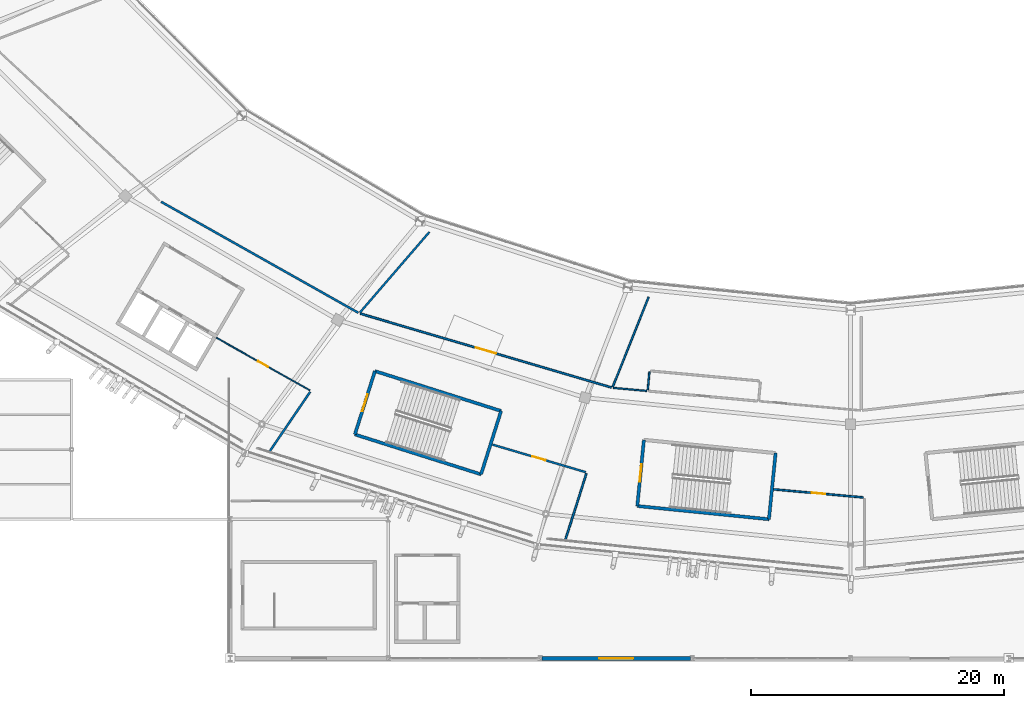
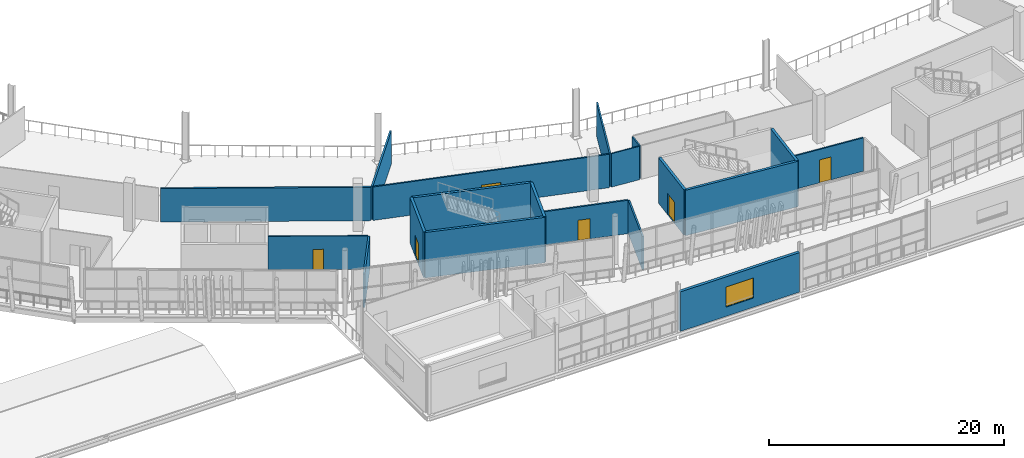
# One storey, part 125 of 179: 19 walls, 6 doors, 1 window, 7 openings.
"""IFC4 building model written with IfcOpenShell, lengths in metres."""

from ifc_helpers import new_model, si_unit, direction, frame, frame_2d, origin, place, context, subcontext, project, spatial, rectangle, extrude, material, layer, layer_set, type_object, element, fill, save


model = new_model("IFC4")

# Units and contexts
model_context = context("Model", 3, precision=1e-05, world=origin(), true_north=direction((0.0, 1.0)))
body_context = subcontext(model_context, "Body", "Model", "MODEL_VIEW")
ifc_project = project(units=[si_unit("LENGTHUNIT", "METRE"), si_unit("AREAUNIT", "SQUARE_METRE"), si_unit("VOLUMEUNIT", "CUBIC_METRE"), si_unit("PLANEANGLEUNIT", "RADIAN"), si_unit("MASSUNIT", "GRAM", prefix="KILO")], contexts=[model_context])

# Site, building, storey
site_placement = place(None, origin())
site = spatial("IfcSite", under=ifc_project, at=site_placement, CompositionType="ELEMENT")
building_placement = place(site_placement, origin())
building = spatial("IfcBuilding", under=site, at=building_placement, Name="Zlatoyarsky Gate Stadium", CompositionType="ELEMENT")
storey_placement = place(building_placement, frame((0.0, 0.0, 10.60009765625)))
storey = spatial("IfcBuildingStorey", under=building, at=storey_placement, Name="L02", CompositionType="ELEMENT", Elevation=10.60009765625)

# Walls
ifc_material_1 = material(Name="Double-stud acoustic gypsum partition", Category="gypsum")
ifc_layer_1 = layer(ifc_material_1, 0.169921875)
ifc_layer_set_1 = layer_set([ifc_layer_1], Name="Double-stud acoustic gypsum partition")
wall_type_1 = type_object("IfcWallType", Name="ACOUSTIC BROADCAST STUDIO WALL 170", PredefinedType="PARTITIONING", material=ifc_layer_set_1)
wall_1_placement = place(storey_placement, frame((56.548583984375, 36.072021484375, 0.0), z_axis=(0.0, 0.0, 1.0), x_axis=(0.871362784673, -0.490639274301, 0.0)))
element("IfcWall", 1, at=wall_1_placement, inside=storey, type_object=wall_type_1, Name="L02 interior partition PRT-L02-ICC-15M", PredefinedType="PARTITIONING", context=body_context, shape_type="SweptSolid", body=[
    extrude(rectangle(XDim=17.873779296875, YDim=0.169921875, at=frame_2d((8.93701171875, 0.0))), origin(), (0.0, 0.0, 1.0), 3.469970703125),
])
wall_2_placement = place(storey_placement, frame((68.32568359375, 21.062744140625, 0.0), z_axis=(0.0, 0.0, 1.0), x_axis=(-0.562685289886, -0.826671194941, 0.0)))
element("IfcWall", 2, at=wall_2_placement, inside=storey, type_object=wall_type_1, Name="L02 interior partition PRT-L02-ORD-15R", PredefinedType="PARTITIONING", context=body_context, shape_type="SweptSolid", body=[
    extrude(rectangle(XDim=5.675537109375, YDim=0.169921875, at=frame_2d((2.837890625, 0.0))), origin(), (0.0, 0.0, 1.0), 3.469970703125),
])
ifc_material_2 = material(Name="Anodised aluminium acoustic operable wall", Category="aluminium")
ifc_layer_2 = layer(ifc_material_2, 0.114990234375)
ifc_layer_set_2 = layer_set([ifc_layer_2], Name="Anodised aluminium acoustic operable wall")
wall_type_2 = type_object("IfcWallType", Name="ACOUSTIC OPERABLE SUITE WALL 115", PredefinedType="MOVABLE", material=ifc_layer_set_2)
wall_3_placement = place(storey_placement, frame((92.271728515625, 21.3701171875, 0.0), z_axis=(0.0, 0.0, 1.0), x_axis=(0.995861950951, -0.090878901005, 0.0)))
element("IfcWall", 3, at=wall_3_placement, inside=storey, type_object=wall_type_2, Name="L02 interior partition PRT-L02-WCL-17", PredefinedType="MOVABLE", context=body_context, shape_type="SweptSolid", body=[
    extrude(rectangle(XDim=2.630126953125, YDim=0.114990234375, at=frame_2d((1.31494140625, 0.0))), origin(), (0.0, 0.0, 1.0), 3.469970703125),
])
ifc_material_3 = material(Name="Moisture-resistant masonry partition", Category="masonry")
ifc_layer_3 = layer(ifc_material_3, 0.139892578125)
ifc_layer_set_3 = layer_set([ifc_layer_3], Name="Moisture-resistant masonry partition")
wall_type_3 = type_object("IfcWallType", Name="ATHLETE CHANGING BLOCK PARTITION 140", PredefinedType="PARTITIONING", material=ifc_layer_set_3)
wall_4_placement = place(storey_placement, frame((95.053955078125, 28.539794921875, 0.0), z_axis=(0.0, 0.0, 1.0), x_axis=(-0.37161687276, -0.928386180358, 0.0)))
element("IfcWall", 4, at=wall_4_placement, inside=storey, type_object=wall_type_3, Name="L02 interior partition PRT-L02-IRD-17", PredefinedType="PARTITIONING", context=body_context, shape_type="SweptSolid", body=[
    extrude(rectangle(XDim=7.62939453125, YDim=0.139892578125, at=frame_2d((3.814697265625, 0.0))), origin(), (0.0, 0.0, 1.0), 3.469970703125),
])

# Wall, opening, door
wall_5_placement = place(storey_placement, frame((104.92138671875, 13.358154296875, 0.0), z_axis=(0.0, 0.0, 1.0), x_axis=(0.995940866338, -0.090009948105, 0.0)))
wall_5 = element("IfcWall", 5, at=wall_5_placement, inside=storey, type_object=wall_type_3, Name="L02 interior partition PRT-L02-OCC-17-1", PredefinedType="PARTITIONING", context=body_context, shape_type="SweptSolid", body=[
    extrude(rectangle(XDim=7.1171875, YDim=0.139892578125, at=frame_2d((3.55859375, 0.0))), origin(), (0.0, 0.0, 1.0), 3.469970703125),
])
opening_1_placement = place(wall_5_placement, frame((3.0185546875, 0.0, 0.0)))
opening_1 = element("IfcOpeningElement", 6, at=opening_1_placement, cuts=wall_5, Name="Opening D-L02-373", PredefinedType="OPENING", context=body_context, shape_type="SweptSolid", body=[
    extrude(rectangle(XDim=1.080078125, YDim=2.3798828125, at=frame_2d((0.5400390625, 1.18994140625))), frame((0.0, 0.079833984375, 0.0), z_axis=(0.0, -1.0, 0.0), x_axis=(1.0, 0.0, 0.0)), (0.0, 0.0, 1.0), 0.159912109375),
])
ifc_material_4 = material(Name="Powder-coated steel fire door", Category="steel")
door_type_1 = type_object("IfcDoorType", Name="ACOUSTIC INTERIOR DOOR 1080X2380", OperationType="NOTDEFINED", PredefinedType="DOOR", material=ifc_material_4)
door_1_placement = place(opening_1_placement, origin())
door_1 = element("IfcDoor", 7, at=door_1_placement, inside=storey, type_object=door_type_1, Name="L02 room door D-L02-373", OperationType="SINGLE_SWING_RIGHT", OverallHeight=2.3798828125, OverallWidth=1.080078125, PredefinedType="DOOR", context=body_context, shape_type="SweptSolid", body=[
    extrude(rectangle(XDim=1.080078125, YDim=2.3798828125, at=frame_2d((0.5400390625, 1.18994140625))), frame((0.0, 0.02490234375, 0.0), z_axis=(0.0, -1.0, 0.0), x_axis=(1.0, 0.0, 0.0)), (0.0, 0.0, 1.0), 0.050048828125),
])
fill(opening_1, door_1)

ifc_material_5 = material(Name="Metal-stud gypsum partition", Category="gypsum")
ifc_layer_4 = layer(ifc_material_5, 0.14990234375)
ifc_layer_set_4 = layer_set([ifc_layer_4], Name="Metal-stud gypsum partition")
wall_type_4 = type_object("IfcWallType", Name="CONCOURSE CORRIDOR PARTITION 150", PredefinedType="PARTITIONING", material=ifc_layer_set_4)
wall_6_placement = place(storey_placement, frame((72.27880859375, 27.23681640625, 0.0), z_axis=(0.0, 0.0, 1.0), x_axis=(0.959319404283, -0.282323007504, 0.0)))
wall_6 = element("IfcWall", 8, at=wall_6_placement, inside=storey, type_object=wall_type_4, Name="L02 interior partition PRT-L02-ICC-16", PredefinedType="PARTITIONING", context=body_context, shape_type="SweptSolid", body=[
    extrude(rectangle(XDim=20.667724609375, YDim=0.14990234375, at=frame_2d((10.333984375, 0.0))), origin(), (0.0, 0.0, 1.0), 3.469970703125),
])
opening_2_placement = place(wall_6_placement, frame((9.493896484375, 0.0, 0.0)))
opening_2 = element("IfcOpeningElement", 9, at=opening_2_placement, cuts=wall_6, Name="Opening D-L02-322", PredefinedType="OPENING", context=body_context, shape_type="SweptSolid", body=[
    extrude(rectangle(XDim=1.679931640625, YDim=2.10009765625, at=frame_2d((0.83984375, 1.050048828125))), frame((0.0, 0.0849609375, 0.0), z_axis=(0.0, -1.0, 0.0), x_axis=(1.0, 0.0, 0.0)), (0.0, 0.0, 1.0), 0.169921875),
])
door_type_2 = type_object("IfcDoorType", Name="ACOUSTIC INTERIOR DOOR 1680X2100", OperationType="NOTDEFINED", PredefinedType="DOOR", material=ifc_material_4)
door_2_placement = place(opening_2_placement, origin())
door_2 = element("IfcDoor", 10, at=door_2_placement, inside=storey, type_object=door_type_2, Name="L02 room door D-L02-322", OperationType="SINGLE_SWING_RIGHT", OverallHeight=2.10009765625, OverallWidth=1.679931640625, PredefinedType="DOOR", context=body_context, shape_type="SweptSolid", body=[
    extrude(rectangle(XDim=1.679931640625, YDim=2.10009765625, at=frame_2d((0.83984375, 1.050048828125))), frame((0.0, 0.02490234375, 0.0), z_axis=(0.0, -1.0, 0.0), x_axis=(1.0, 0.0, 0.0)), (0.0, 0.0, 1.0), 0.050048828125),
])
fill(opening_2, door_2)

# Wall
wall_7_placement = place(storey_placement, frame((90.134521484375, 14.61083984375, 0.0), z_axis=(0.0, 0.0, 1.0), x_axis=(-0.301259297359, -0.953542256932, 0.0)))
element("IfcWall", 11, at=wall_7_placement, inside=storey, type_object=wall_type_4, Name="L02 interior partition PRT-L02-ORD-16R", PredefinedType="PARTITIONING", context=body_context, shape_type="SweptSolid", body=[
    extrude(rectangle(XDim=5.47998046875, YDim=0.14990234375, at=frame_2d((2.739990234375, 0.0))), origin(), (0.0, 0.0, 1.0), 3.469970703125),
])

# Wall, opening, door
ifc_material_6 = material(Name="Concrete C40/50", Category="concrete")
ifc_layer_5 = layer(ifc_material_6, 0.25)
ifc_layer_set_5 = layer_set([ifc_layer_5], Name="Concrete C40/50")
wall_type_5 = type_object("IfcWallType", Name="CONCRETE STAIR CORE SHEAR WALL 250", PredefinedType="SHEAR", material=ifc_layer_set_5)
wall_8_placement = place(storey_placement, frame((73.436767578125, 22.69873046875, 0.0), z_axis=(0.0, 0.0, 1.0), x_axis=(-0.30152749866, -0.953457480726, 0.0)))
wall_8 = element("IfcWall", 12, at=wall_8_placement, inside=storey, type_object=wall_type_5, Name="ST-09 L02 stair core entrance shear wall", PredefinedType="SHEAR", context=body_context, shape_type="SweptSolid", body=[
    extrude(rectangle(XDim=5.25, YDim=0.25, at=frame_2d((2.625, 0.0))), origin(), (0.0, 0.0, 1.0), 4.719970703125),
])
opening_3_placement = place(wall_8_placement, frame((1.925048828125, 0.0, 0.0)))
opening_3 = element("IfcOpeningElement", 13, at=opening_3_placement, cuts=wall_8, Name="Opening SD-ST-09-L02", PredefinedType="OPENING", context=body_context, shape_type="SweptSolid", body=[
    extrude(rectangle(XDim=1.39990234375, YDim=2.199951171875, at=frame_2d((0.699951171875, 1.10009765625))), frame((0.0, 0.135009765625, 0.0), z_axis=(0.0, -1.0, 0.0), x_axis=(1.0, 0.0, 0.0)), (0.0, 0.0, 1.0), 0.27001953125),
])
door_type_3 = type_object("IfcDoorType", Name="STAIR CORE FIRE EXIT DOOR 1400X2200", OperationType="NOTDEFINED", PredefinedType="DOOR", material=ifc_material_4)
door_3_placement = place(opening_3_placement, frame((1.39990234375, 0.0, 0.0), z_axis=(0.0, 0.0, 1.0), x_axis=(-1.0, 0.0, 0.0)))
door_3 = element("IfcDoor", 14, at=door_3_placement, inside=storey, type_object=door_type_3, Name="ST-09 L02 stair fire door", OperationType="SINGLE_SWING_LEFT", OverallHeight=2.199951171875, OverallWidth=1.39990234375, PredefinedType="DOOR", context=body_context, shape_type="SweptSolid", body=[
    extrude(rectangle(XDim=1.39990234375, YDim=2.199951171875, at=frame_2d((0.699951171875, 1.10009765625))), frame((0.0, 0.02490234375, 0.0), z_axis=(0.0, -1.0, 0.0), x_axis=(1.0, 0.0, 0.0)), (0.0, 0.0, 1.0), 0.050048828125),
])
fill(opening_3, door_3)

# Walls
wall_9_placement = place(storey_placement, frame((71.853759765625, 17.693115234375, 0.0), z_axis=(0.0, 0.0, 1.0), x_axis=(0.953461834254, -0.301513732061, 0.0)))
element("IfcWall", 15, at=wall_9_placement, inside=storey, type_object=wall_type_5, Name="ST-09 L02 stair core left shear wall", PredefinedType="SHEAR", context=body_context, shape_type="SweptSolid", body=[
    extrude(rectangle(XDim=10.4501953125, YDim=0.25, at=frame_2d((5.22509765625, 0.0))), origin(), (0.0, 0.0, 1.0), 4.719970703125),
])
wall_10_placement = place(storey_placement, frame((81.817626953125, 14.542236328125, 0.0), z_axis=(0.0, 0.0, 1.0), x_axis=(0.301485222482, 0.953470849384, 0.0)))
element("IfcWall", 16, at=wall_10_placement, inside=storey, type_object=wall_type_5, Name="ST-09 L02 stair core far shear wall", PredefinedType="SHEAR", context=body_context, shape_type="SweptSolid", body=[
    extrude(rectangle(XDim=5.25, YDim=0.25, at=frame_2d((2.625, 0.0))), origin(), (0.0, 0.0, 1.0), 4.719970703125),
])
wall_11_placement = place(storey_placement, frame((83.400390625, 19.5478515625, 0.0), z_axis=(0.0, 0.0, 1.0), x_axis=(-0.953459710305, 0.301520448438, 0.0)))
element("IfcWall", 17, at=wall_11_placement, inside=storey, type_object=wall_type_5, Name="ST-09 L02 stair core right shear wall", PredefinedType="SHEAR", context=body_context, shape_type="SweptSolid", body=[
    extrude(rectangle(XDim=10.449951171875, YDim=0.25, at=frame_2d((5.22509765625, 0.0))), origin(), (0.0, 0.0, 1.0), 4.719970703125),
])

# Wall, opening, door
wall_12_placement = place(storey_placement, frame((94.680908203125, 17.26611328125, 0.0), z_axis=(0.0, 0.0, 1.0), x_axis=(-0.10002396577, -0.994985028165, 0.0)))
wall_12 = element("IfcWall", 18, at=wall_12_placement, inside=storey, type_object=wall_type_5, Name="ST-19 L02 stair core entrance shear wall", PredefinedType="SHEAR", context=body_context, shape_type="SweptSolid", body=[
    extrude(rectangle(XDim=5.250244140625, YDim=0.25, at=frame_2d((2.625, 0.0))), origin(), (0.0, 0.0, 1.0), 4.719970703125),
])
opening_4_placement = place(wall_12_placement, frame((1.925048828125, 0.0, 0.0)))
opening_4 = element("IfcOpeningElement", 19, at=opening_4_placement, cuts=wall_12, Name="Opening SD-ST-19-L02", PredefinedType="OPENING", context=body_context, shape_type="SweptSolid", body=[
    extrude(rectangle(XDim=1.39990234375, YDim=2.199951171875, at=frame_2d((0.699951171875, 1.10009765625))), frame((0.0, 0.135009765625, 0.0), z_axis=(0.0, -1.0, 0.0), x_axis=(1.0, 0.0, 0.0)), (0.0, 0.0, 1.0), 0.27001953125),
])
door_4_placement = place(opening_4_placement, frame((1.39990234375, 0.0, 0.0), z_axis=(0.0, 0.0, 1.0), x_axis=(-1.0, 0.0, 0.0)))
door_4 = element("IfcDoor", 20, at=door_4_placement, inside=storey, type_object=door_type_3, Name="ST-19 L02 stair fire door", OperationType="SINGLE_SWING_RIGHT", OverallHeight=2.199951171875, OverallWidth=1.39990234375, PredefinedType="DOOR", context=body_context, shape_type="SweptSolid", body=[
    extrude(rectangle(XDim=1.39990234375, YDim=2.199951171875, at=frame_2d((0.699951171875, 1.10009765625))), frame((0.0, 0.02490234375, 0.0), z_axis=(0.0, -1.0, 0.0), x_axis=(1.0, 0.0, 0.0)), (0.0, 0.0, 1.0), 0.050048828125),
])
fill(opening_4, door_4)

# Walls
wall_13_placement = place(storey_placement, frame((94.15576171875, 12.042236328125, 0.0), z_axis=(0.0, 0.0, 1.0), x_axis=(0.994988263568, -0.09999177647, 0.0)))
element("IfcWall", 21, at=wall_13_placement, inside=storey, type_object=wall_type_5, Name="ST-19 L02 stair core left shear wall", PredefinedType="SHEAR", context=body_context, shape_type="SweptSolid", body=[
    extrude(rectangle(XDim=10.4501953125, YDim=0.25, at=frame_2d((5.22509765625, 0.0))), origin(), (0.0, 0.0, 1.0), 4.719970703125),
])
wall_14_placement = place(storey_placement, frame((104.553466796875, 10.997314453125, 0.0), z_axis=(0.0, 0.0, 1.0), x_axis=(0.099982555566, 0.994989190184, 0.0)))
element("IfcWall", 22, at=wall_14_placement, inside=storey, type_object=wall_type_5, Name="ST-19 L02 stair core far shear wall", PredefinedType="SHEAR", context=body_context, shape_type="SweptSolid", body=[
    extrude(rectangle(XDim=5.25, YDim=0.25, at=frame_2d((2.625, 0.0))), origin(), (0.0, 0.0, 1.0), 4.719970703125),
])

# Wall, opening, door
ifc_material_7 = material(Name="Timber-veneered acoustic operable partition", Category="wood")
ifc_layer_6 = layer(ifc_material_7, 0.094970703125)
ifc_layer_set_6 = layer_set([ifc_layer_6], Name="Timber-veneered acoustic operable partition")
wall_type_6 = type_object("IfcWallType", Name="FOLDING BANQUET SALON WALL 95", PredefinedType="MOVABLE", material=ifc_layer_set_6)
wall_15_placement = place(storey_placement, frame((60.91162109375, 25.332763671875, 0.0), z_axis=(0.0, 0.0, 1.0), x_axis=(0.871455529738, -0.490474525015, 0.0)))
wall_15 = element("IfcWall", 23, at=wall_15_placement, inside=storey, type_object=wall_type_6, Name="L02 interior partition PRT-L02-OCC-15-1", PredefinedType="MOVABLE", context=body_context, shape_type="SweptSolid", body=[
    extrude(rectangle(XDim=8.4775390625, YDim=0.094970703125, at=frame_2d((4.23876953125, 0.0))), origin(), (0.0, 0.0, 1.0), 3.469970703125),
])
opening_5_placement = place(wall_15_placement, frame((3.788818359375, 0.0, 0.0)))
opening_5 = element("IfcOpeningElement", 24, at=opening_5_placement, cuts=wall_15, Name="Opening D-L02-369", PredefinedType="OPENING", context=body_context, shape_type="SweptSolid", body=[
    extrude(rectangle(XDim=0.89990234375, YDim=2.10009765625, at=frame_2d((0.449951171875, 1.050048828125))), frame((0.0, 0.057373046875, 0.0), z_axis=(0.0, -1.0, 0.0), x_axis=(1.0, 0.0, 0.0)), (0.0, 0.0, 1.0), 0.114990234375),
])
ifc_material_8 = material(Name="Solid-core oak veneer acoustic door", Category="wood")
door_type_4 = type_object("IfcDoorType", Name="ACOUSTIC INTERIOR DOOR 900X2100", OperationType="NOTDEFINED", PredefinedType="DOOR", material=ifc_material_8)
door_5_placement = place(opening_5_placement, origin())
door_5 = element("IfcDoor", 25, at=door_5_placement, inside=storey, type_object=door_type_4, Name="L02 room door D-L02-369", OperationType="SINGLE_SWING_RIGHT", OverallHeight=2.10009765625, OverallWidth=0.89990234375, PredefinedType="DOOR", context=body_context, shape_type="SweptSolid", body=[
    extrude(rectangle(XDim=0.89990234375, YDim=2.10009765625, at=frame_2d((0.449951171875, 1.050048828125))), frame((0.0, 0.02490234375, 0.0), z_axis=(0.0, -1.0, 0.0), x_axis=(1.0, 0.0, 0.0)), (0.0, 0.0, 1.0), 0.050048828125),
])
fill(opening_5, door_5)

# Wall
ifc_material_9 = material(Name="Acoustic metal-stud gypsum partition", Category="gypsum")
ifc_layer_7 = layer(ifc_material_9, 0.159912109375)
ifc_layer_set_7 = layer_set([ifc_layer_7], Name="Acoustic metal-stud gypsum partition")
wall_type_7 = type_object("IfcWallType", Name="HOSPITALITY SUITE PARTITION 160", PredefinedType="PARTITIONING", material=ifc_layer_set_7)
wall_16_placement = place(storey_placement, frame((77.73974609375, 33.685791015625, 0.0), z_axis=(0.0, 0.0, 1.0), x_axis=(-0.653198299143, -0.7571868871, 0.0)))
element("IfcWall", 26, at=wall_16_placement, inside=storey, type_object=wall_type_7, Name="L02 interior partition PRT-L02-IRD-16", PredefinedType="PARTITIONING", context=body_context, shape_type="SweptSolid", body=[
    extrude(rectangle(XDim=8.400390625, YDim=0.159912109375, at=frame_2d((4.2001953125, 0.0))), origin(), (0.0, 0.0, 1.0), 3.469970703125),
])

# Wall, opening, door
wall_17_placement = place(storey_placement, frame((82.69873046875, 16.897705078125, 0.0), z_axis=(0.0, 0.0, 1.0), x_axis=(0.958974593553, -0.283492026201, 0.0)))
wall_17 = element("IfcWall", 27, at=wall_17_placement, inside=storey, type_object=wall_type_7, Name="L02 interior partition PRT-L02-OCC-16-1", PredefinedType="PARTITIONING", context=body_context, shape_type="SweptSolid", body=[
    extrude(rectangle(XDim=7.695556640625, YDim=0.159912109375, at=frame_2d((3.84765625, 0.0))), origin(), (0.0, 0.0, 1.0), 3.469970703125),
])
opening_6_placement = place(wall_17_placement, frame((3.307861328125, 0.0, 0.0)))
opening_6 = element("IfcOpeningElement", 28, at=opening_6_placement, cuts=wall_17, Name="Opening D-L02-371", PredefinedType="OPENING", context=body_context, shape_type="SweptSolid", body=[
    extrude(rectangle(XDim=1.080078125, YDim=2.10009765625, at=frame_2d((0.5400390625, 1.050048828125))), frame((0.0, 0.08984375, 0.0), z_axis=(0.0, -1.0, 0.0), x_axis=(1.0, 0.0, 0.0)), (0.0, 0.0, 1.0), 0.179931640625),
])
door_type_5 = type_object("IfcDoorType", Name="ACOUSTIC INTERIOR DOOR 1080X2100", OperationType="NOTDEFINED", PredefinedType="DOOR", material=ifc_material_4)
door_6_placement = place(opening_6_placement, origin())
door_6 = element("IfcDoor", 29, at=door_6_placement, inside=storey, type_object=door_type_5, Name="L02 room door D-L02-371", OperationType="SINGLE_SWING_LEFT", OverallHeight=2.10009765625, OverallWidth=1.080078125, PredefinedType="DOOR", context=body_context, shape_type="SweptSolid", body=[
    extrude(rectangle(XDim=1.080078125, YDim=2.10009765625, at=frame_2d((0.5400390625, 1.050048828125))), frame((0.0, 0.02490234375, 0.0), z_axis=(0.0, -1.0, 0.0), x_axis=(1.0, 0.0, 0.0)), (0.0, 0.0, 1.0), 0.050048828125),
])
fill(opening_6, door_6)

# Wall, opening, window
ifc_material_10 = material(Name="Precast concrete C40/50 architectural panel", Category="concrete")
ifc_layer_8 = layer(ifc_material_10, 0.280029296875)
ifc_layer_set_8 = layer_set([ifc_layer_8], Name="Precast concrete C40/50 architectural panel")
wall_type_8 = type_object("IfcWallType", Name="INSULATED WING SPANDREL WALL 280", PredefinedType="STANDARD", material=ifc_layer_set_8)
wall_18_placement = place(storey_placement, frame((86.64697265625, 0.0, 0.0), z_axis=(0.0, 0.0, 1.0), x_axis=(1.0, 0.0, 0.0)))
wall_18 = element("IfcWall", 30, at=wall_18_placement, inside=storey, type_object=wall_type_8, Name="V3_SOUTH L02 S exterior wall", PredefinedType="STANDARD", context=body_context, shape_type="SweptSolid", body=[
    extrude(rectangle(XDim=11.7060546875, YDim=0.280029296875, at=frame_2d((5.85302734375, 0.0))), origin(), (0.0, 0.0, 1.0), 4.099853515625),
])
opening_7_placement = place(wall_18_placement, frame((4.5029296875, 0.0, 0.949951171875)))
opening_7 = element("IfcOpeningElement", 31, at=opening_7_placement, cuts=wall_18, Name="Opening WN-24", PredefinedType="OPENING", context=body_context, shape_type="SweptSolid", body=[
    extrude(rectangle(XDim=2.699951171875, YDim=2.10009765625, at=frame_2d((1.35009765625, 1.050048828125))), frame((0.0, 0.14990234375, 0.0), z_axis=(0.0, -1.0, 0.0), x_axis=(1.0, 0.0, 0.0)), (0.0, 0.0, 1.0), 0.300048828125),
])
ifc_material_11 = material(Name="Triple-glazed thermally broken aluminium window", Category="aluminium")
window_type = type_object("IfcWindowType", Name="TRIPLE GLAZED ALUMINIUM WINDOW 2700X2100", PartitioningType="SINGLE_PANEL", PredefinedType="WINDOW", material=ifc_material_11)
window_placement = place(opening_7_placement, origin())
window = element("IfcWindow", 32, at=window_placement, inside=storey, type_object=window_type, Name="Exterior window WIN-L02-024", OverallHeight=2.10009765625, OverallWidth=2.699951171875, PartitioningType="SINGLE_PANEL", PredefinedType="WINDOW", context=body_context, shape_type="SweptSolid", body=[
    extrude(rectangle(XDim=2.699951171875, YDim=2.10009765625, at=frame_2d((1.35009765625, 1.050048828125))), frame((0.0, 0.030029296875, 0.0), z_axis=(0.0, -1.0, 0.0), x_axis=(1.0, 0.0, 0.0)), (0.0, 0.0, 1.0), 0.06005859375),
])
fill(opening_7, window)

# Wall
ifc_material_12 = material(Name="Moisture-resistant tile-backed partition", Category="gypsum")
ifc_layer_9 = layer(ifc_material_12, 0.1298828125)
ifc_layer_set_9 = layer_set([ifc_layer_9], Name="Moisture-resistant tile-backed partition")
wall_type_9 = type_object("IfcWallType", Name="SANITARY WET ROOM PARTITION 130", PredefinedType="PARTITIONING", material=ifc_layer_set_9)
wall_19_placement = place(storey_placement, frame((94.983154296875, 21.2080078125, 0.0), z_axis=(0.0, 0.0, 1.0), x_axis=(0.090997539094, 0.995851117326, 0.0)))
element("IfcWall", 33, at=wall_19_placement, inside=storey, type_object=wall_type_9, Name="L02 interior partition PRT-L02-WC17-L", PredefinedType="PARTITIONING", context=body_context, shape_type="SweptSolid", body=[
    extrude(rectangle(XDim=1.429931640625, YDim=0.1298828125, at=frame_2d((0.71484375, 0.0))), origin(), (0.0, 0.0, 1.0), 3.469970703125),
])

save(model, "model.ifc")
